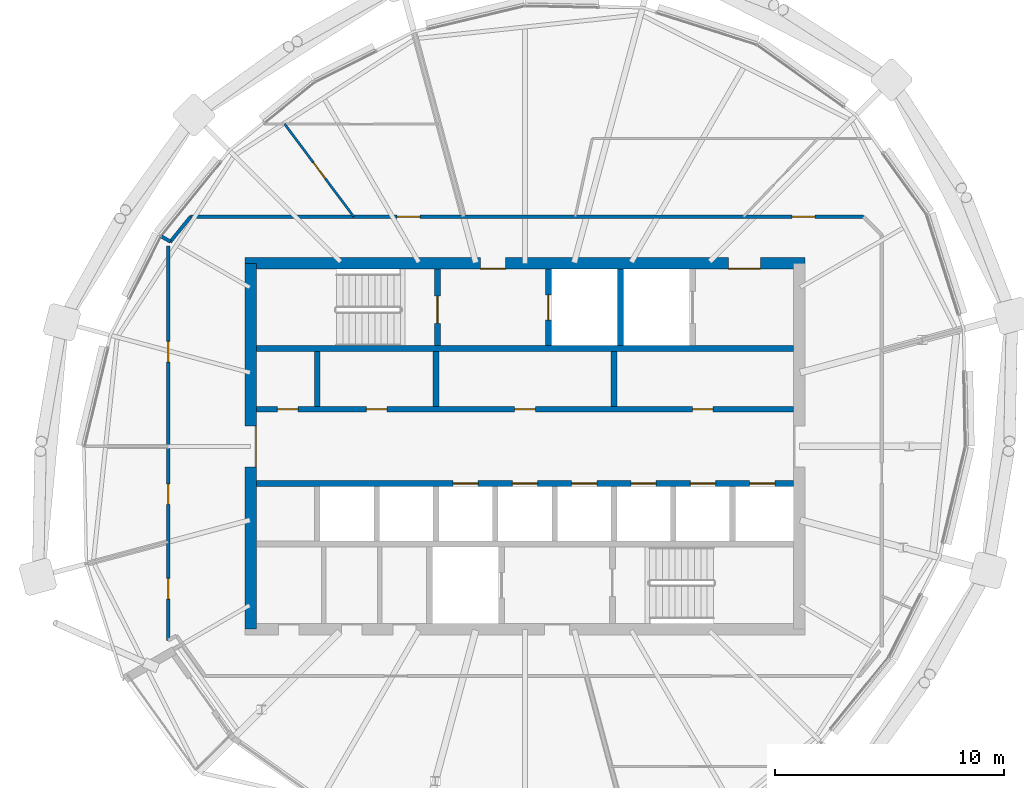
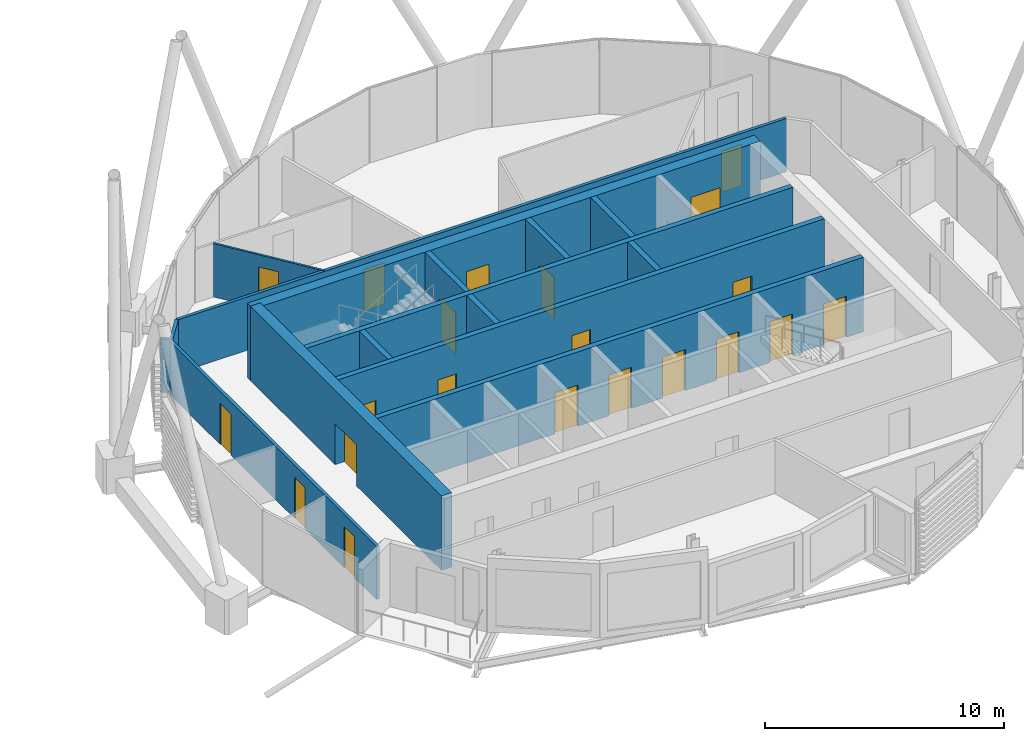
# One storey, part 23 of 32: 21 doors, 16 walls, 21 openings.
"""IFC4 building model written with IfcOpenShell, lengths in metres."""

from ifc_helpers import new_model, si_unit, direction, frame, frame_2d, origin, place, context, subcontext, project, spatial, rectangle, extrude, material, layer, layer_set, type_object, element, fill, save


model = new_model("IFC4")

# Units and contexts
model_context = context("Model", 3, precision=1e-05, world=origin(), true_north=direction((0.0, 1.0)))
body_context = subcontext(model_context, "Body", "Model", "MODEL_VIEW")
ifc_project = project(units=[si_unit("LENGTHUNIT", "METRE"), si_unit("AREAUNIT", "SQUARE_METRE"), si_unit("VOLUMEUNIT", "CUBIC_METRE"), si_unit("PLANEANGLEUNIT", "RADIAN"), si_unit("MASSUNIT", "GRAM", prefix="KILO")], contexts=[model_context])

# Site, building, storey
site_placement = place(None, origin())
site = spatial("IfcSite", under=ifc_project, at=site_placement, CompositionType="ELEMENT")
building_placement = place(site_placement, origin())
building = spatial("IfcBuilding", under=site, at=building_placement, Name="Rimbun Link Towers", CompositionType="ELEMENT")
storey_placement = place(building_placement, frame((0.0, 0.0, 233.300048828125)))
storey = spatial("IfcBuildingStorey", under=building, at=storey_placement, Name="L57", CompositionType="ELEMENT", Elevation=233.300048828125)

# Wall, openings, doors
ifc_material_1 = material(Name="Concrete C60/75", Category="concrete")
ifc_layer_1 = layer(ifc_material_1, 0.5)
ifc_layer_set_1 = layer_set([ifc_layer_1], Name="Core shear wall 500")
wall_type_1 = type_object("IfcWallType", Name="Core shear wall 500", PredefinedType="SHEAR", material=ifc_layer_set_1)
wall_1_placement = place(storey_placement, frame((19.5, 8.0, 0.0), z_axis=(0.0, 0.0, 1.0), x_axis=(1.0, 0.0, 0.0)))
wall_1 = element("IfcWall", 1, at=wall_1_placement, inside=storey, type_object=wall_type_1, Name="L57 T2 core wall N", PredefinedType="SHEAR", context=body_context, shape_type="SweptSolid", body=[
    extrude(rectangle(XDim=24.5, YDim=0.5, at=frame_2d((12.25, 0.0))), origin(), (0.0, 0.0, 1.0), 3.800048828125),
])
opening_1_placement = place(wall_1_placement, frame((10.300048828125, 0.0, 0.0)))
opening_1 = element("IfcOpeningElement", 2, at=opening_1_placement, cuts=wall_1, Name="Opening C2DCF01N", PredefinedType="OPENING", context=body_context, shape_type="SweptSolid", body=[
    extrude(rectangle(XDim=1.10009765625, YDim=2.10009765625, at=frame_2d((0.550048828125, 1.050048828125))), frame((0.0, 0.260009765625, 0.0), z_axis=(0.0, -1.0, 0.0), x_axis=(1.0, 0.0, 0.0)), (0.0, 0.0, 1.0), 0.52001953125),
])
opening_2_placement = place(wall_1_placement, frame((21.14990234375, 0.0, 0.0)))
opening_2 = element("IfcOpeningElement", 3, at=opening_2_placement, cuts=wall_1, Name="Opening C2DSL02N", PredefinedType="OPENING", context=body_context, shape_type="SweptSolid", body=[
    extrude(rectangle(XDim=1.39990234375, YDim=2.10009765625, at=frame_2d((0.699951171875, 1.050048828125))), frame((0.0, 0.260009765625, 0.0), z_axis=(0.0, -1.0, 0.0), x_axis=(1.0, 0.0, 0.0)), (0.0, 0.0, 1.0), 0.52001953125),
])
ifc_material_2 = material(Name="Steel fire door set", Category="steel")
door_type_1 = type_object("IfcDoorType", Name="Core fire door single", OperationType="SINGLE_SWING_LEFT", PredefinedType="DOOR", material=ifc_material_2)
door_1_placement = place(opening_1_placement, origin())
door_1 = element("IfcDoor", 4, at=door_1_placement, inside=storey, type_object=door_type_1, Name="L57 T2 firefighting lobby n door", OperationType="SINGLE_SWING_LEFT", OverallHeight=2.10009765625, OverallWidth=1.10009765625, PredefinedType="DOOR", context=body_context, shape_type="SweptSolid", body=[
    extrude(rectangle(XDim=1.10009765625, YDim=2.10009765625, at=frame_2d((0.550048828125, 1.050048828125))), frame((0.0, -0.2001953125, 0.0), z_axis=(0.0, -1.0, 0.0), x_axis=(1.0, 0.0, 0.0)), (0.0, 0.0, 1.0), 0.050048828125),
])
fill(opening_1, door_1)
ifc_material_3 = material(Name="Steel fire door set", Category="steel")
door_type_2 = type_object("IfcDoorType", Name="Service lobby door double", OperationType="DOUBLE_DOOR_SINGLE_SWING", PredefinedType="DOOR", material=ifc_material_3)
door_2_placement = place(opening_2_placement, origin())
door_2 = element("IfcDoor", 5, at=door_2_placement, inside=storey, type_object=door_type_2, Name="L57 T2 service lobby door", OperationType="DOUBLE_DOOR_SINGLE_SWING", OverallHeight=2.10009765625, OverallWidth=1.39990234375, PredefinedType="DOOR", context=body_context, shape_type="SweptSolid", body=[
    extrude(rectangle(XDim=1.39990234375, YDim=2.10009765625, at=frame_2d((0.699951171875, 1.050048828125))), frame((0.0, -0.2001953125, 0.0), z_axis=(0.0, -1.0, 0.0), x_axis=(1.0, 0.0, 0.0)), (0.0, 0.0, 1.0), 0.050048828125),
])
fill(opening_2, door_2)

# Wall, opening, door
wall_2_placement = place(storey_placement, frame((19.75, -8.0, 0.0), z_axis=(0.0, 0.0, 1.0), x_axis=(0.0, 1.0, 0.0)))
wall_2 = element("IfcWall", 6, at=wall_2_placement, inside=storey, type_object=wall_type_1, Name="L57 T2 core wall W", PredefinedType="SHEAR", context=body_context, shape_type="SweptSolid", body=[
    extrude(rectangle(XDim=16.0, YDim=0.5, at=frame_2d((8.0, 0.0))), origin(), (0.0, 0.0, 1.0), 3.800048828125),
])
opening_3_placement = place(wall_2_placement, frame((7.10009765625, 0.0, 0.0)))
opening_3 = element("IfcOpeningElement", 7, at=opening_3_placement, cuts=wall_2, Name="Opening C2DCL01W", PredefinedType="OPENING", context=body_context, shape_type="SweptSolid", body=[
    extrude(rectangle(XDim=1.800048828125, YDim=2.10009765625, at=frame_2d((0.89990234375, 1.050048828125))), frame((0.0, 0.260009765625, 0.0), z_axis=(0.0, -1.0, 0.0), x_axis=(1.0, 0.0, 0.0)), (0.0, 0.0, 1.0), 0.52001953125),
])
ifc_material_4 = material(Name="Steel fire door set", Category="steel")
door_type_3 = type_object("IfcDoorType", Name="Core lobby door double", OperationType="DOUBLE_DOOR_SINGLE_SWING", PredefinedType="DOOR", material=ifc_material_4)
door_3_placement = place(opening_3_placement, origin())
door_3 = element("IfcDoor", 8, at=door_3_placement, inside=storey, type_object=door_type_3, Name="L57 T2 lift lobby door", OperationType="DOUBLE_DOOR_SINGLE_SWING", OverallHeight=2.10009765625, OverallWidth=1.800048828125, PredefinedType="DOOR", context=body_context, shape_type="SweptSolid", body=[
    extrude(rectangle(XDim=1.800048828125, YDim=2.10009765625, at=frame_2d((0.89990234375, 1.050048828125))), frame((0.0, -0.2001953125, 0.0), z_axis=(0.0, -1.0, 0.0), x_axis=(1.0, 0.0, 0.0)), (0.0, 0.0, 1.0), 0.050048828125),
])
fill(opening_3, door_3)

# Wall, openings, doors
ifc_material_5 = material(Name="Plasterboard on steel stud, mineral wool", Category="steel")
ifc_layer_2 = layer(ifc_material_5, 0.14990234375)
ifc_layer_set_2 = layer_set([ifc_layer_2], Name="Corridor wall EI 30 150 mm")
wall_type_2 = type_object("IfcWallType", Name="Corridor wall EI 30 150 mm", PredefinedType="PARTITIONING", material=ifc_layer_set_2)
wall_3_placement = place(storey_placement, frame((16.14501953125, -8.489990234375, 0.0), z_axis=(0.0, 0.0, 1.0), x_axis=(0.0, 1.0, 0.0)))
wall_3 = element("IfcWall", 9, at=wall_3_placement, inside=storey, type_object=wall_type_2, Name="Corridor wall EI 30 150 mm", PredefinedType="PARTITIONING", context=body_context, shape_type="SweptSolid", body=[
    extrude(rectangle(XDim=17.259521484375, YDim=0.14990234375, at=frame_2d((8.6298828125, 0.0))), origin(), (0.0, 0.0, 1.0), 2.721923828125),
])
opening_4_placement = place(wall_3_placement, frame((12.179931640625, 0.0, 0.0)))
opening_4 = element("IfcOpeningElement", 10, at=opening_4_placement, cuts=wall_3, Name="Opening D02", PredefinedType="OPENING", context=body_context, shape_type="SweptSolid", body=[
    extrude(rectangle(XDim=0.89990234375, YDim=2.10009765625, at=frame_2d((0.449951171875, 1.050048828125))), frame((0.0, 0.0849609375, 0.0), z_axis=(0.0, -1.0, 0.0), x_axis=(1.0, 0.0, 0.0)), (0.0, 0.0, 1.0), 0.169921875),
])
opening_5_placement = place(wall_3_placement, frame((5.94921875, 0.0, 0.0)))
opening_5 = element("IfcOpeningElement", 11, at=opening_5_placement, cuts=wall_3, Name="Opening D02", PredefinedType="OPENING", context=body_context, shape_type="SweptSolid", body=[
    extrude(rectangle(XDim=0.89990234375, YDim=2.10009765625, at=frame_2d((0.449951171875, 1.050048828125))), frame((0.0, 0.0849609375, 0.0), z_axis=(0.0, -1.0, 0.0), x_axis=(1.0, 0.0, 0.0)), (0.0, 0.0, 1.0), 0.169921875),
])
opening_6_placement = place(wall_3_placement, frame((1.80908203125, 0.0, 0.0)))
opening_6 = element("IfcOpeningElement", 12, at=opening_6_placement, cuts=wall_3, Name="Opening D02", PredefinedType="OPENING", context=body_context, shape_type="SweptSolid", body=[
    extrude(rectangle(XDim=0.89990234375, YDim=2.10009765625, at=frame_2d((0.449951171875, 1.050048828125))), frame((0.0, 0.0849609375, 0.0), z_axis=(0.0, -1.0, 0.0), x_axis=(1.0, 0.0, 0.0)), (0.0, 0.0, 1.0), 0.169921875),
])
ifc_material_6 = material(Name="Fire-resisting timber door leaf", Category="wood")
door_type_4 = type_object("IfcDoorType", Name="Fire door FD30S 900", OperationType="NOTDEFINED", PredefinedType="DOOR", material=ifc_material_6)
door_4_placement = place(opening_4_placement, origin())
door_4 = element("IfcDoor", 13, at=door_4_placement, inside=storey, type_object=door_type_4, Name="Fire door FD30S 900 to Meeting room", OperationType="SINGLE_SWING_RIGHT", OverallHeight=2.10009765625, OverallWidth=0.89990234375, PredefinedType="DOOR", context=body_context, shape_type="SweptSolid", body=[
    extrude(rectangle(XDim=0.89990234375, YDim=2.10009765625, at=frame_2d((0.449951171875, 1.050048828125))), frame((0.0, 0.02490234375, 0.0), z_axis=(0.0, -1.0, 0.0), x_axis=(1.0, 0.0, 0.0)), (0.0, 0.0, 1.0), 0.050048828125),
])
fill(opening_4, door_4)
door_5_placement = place(opening_5_placement, origin())
door_5 = element("IfcDoor", 14, at=door_5_placement, inside=storey, type_object=door_type_4, Name="Fire door FD30S 900 to Executive office", OperationType="SINGLE_SWING_LEFT", OverallHeight=2.10009765625, OverallWidth=0.89990234375, PredefinedType="DOOR", context=body_context, shape_type="SweptSolid", body=[
    extrude(rectangle(XDim=0.89990234375, YDim=2.10009765625, at=frame_2d((0.449951171875, 1.050048828125))), frame((0.0, 0.02490234375, 0.0), z_axis=(0.0, -1.0, 0.0), x_axis=(1.0, 0.0, 0.0)), (0.0, 0.0, 1.0), 0.050048828125),
])
fill(opening_5, door_5)
door_6_placement = place(opening_6_placement, origin())
door_6 = element("IfcDoor", 15, at=door_6_placement, inside=storey, type_object=door_type_4, Name="Fire door FD30S 900 to Open office", OperationType="SINGLE_SWING_RIGHT", OverallHeight=2.10009765625, OverallWidth=0.89990234375, PredefinedType="DOOR", context=body_context, shape_type="SweptSolid", body=[
    extrude(rectangle(XDim=0.89990234375, YDim=2.10009765625, at=frame_2d((0.449951171875, 1.050048828125))), frame((0.0, 0.02490234375, 0.0), z_axis=(0.0, -1.0, 0.0), x_axis=(1.0, 0.0, 0.0)), (0.0, 0.0, 1.0), 0.050048828125),
])
fill(opening_6, door_6)

# Wall
wall_4_placement = place(storey_placement, frame((17.12646484375, 10.044921875, 0.0), z_axis=(0.0, 0.0, 1.0), x_axis=(-0.629149019121, -0.777284704428, 0.0)))
element("IfcWall", 16, at=wall_4_placement, inside=storey, type_object=wall_type_2, Name="Corridor wall EI 30 150 mm", PredefinedType="PARTITIONING", context=body_context, shape_type="SweptSolid", body=[
    extrude(rectangle(XDim=1.42724609375, YDim=0.14990234375, at=frame_2d((0.713623046875, 0.0))), origin(), (0.0, 0.0, 1.0), 2.721923828125),
])

# Wall, openings, doors
wall_5_placement = place(storey_placement, frame((17.12646484375, 10.044921875, 0.0), z_axis=(0.0, 0.0, 1.0), x_axis=(1.0, 0.0, 0.0)))
wall_5 = element("IfcWall", 17, at=wall_5_placement, inside=storey, type_object=wall_type_2, Name="Corridor wall EI 30 150 mm", PredefinedType="PARTITIONING", context=body_context, shape_type="SweptSolid", body=[
    extrude(rectangle(XDim=29.42724609375, YDim=0.14990234375, at=frame_2d((14.713623046875, 0.0))), origin(), (0.0, 0.0, 1.0), 2.721923828125),
])
opening_7_placement = place(wall_5_placement, frame((26.30419921875, 0.0, 0.0)))
opening_7 = element("IfcOpeningElement", 18, at=opening_7_placement, cuts=wall_5, Name="Opening D01", PredefinedType="OPENING", context=body_context, shape_type="SweptSolid", body=[
    extrude(rectangle(XDim=1.0, YDim=2.10009765625, at=frame_2d((0.5, 1.050048828125))), frame((0.0, 0.0849609375, 0.0), z_axis=(0.0, -1.0, 0.0), x_axis=(1.0, 0.0, 0.0)), (0.0, 0.0, 1.0), 0.169921875),
])
opening_8_placement = place(wall_5_placement, frame((9.03271484375, 0.0, 0.0)))
opening_8 = element("IfcOpeningElement", 19, at=opening_8_placement, cuts=wall_5, Name="Opening D01", PredefinedType="OPENING", context=body_context, shape_type="SweptSolid", body=[
    extrude(rectangle(XDim=1.0, YDim=2.10009765625, at=frame_2d((0.5, 1.050048828125))), frame((0.0, 0.0849609375, 0.0), z_axis=(0.0, -1.0, 0.0), x_axis=(1.0, 0.0, 0.0)), (0.0, 0.0, 1.0), 0.169921875),
])
ifc_material_7 = material(Name="Fire-resisting timber door leaf", Category="wood")
door_type_5 = type_object("IfcDoorType", Name="Fire door FD30S 1000", OperationType="NOTDEFINED", PredefinedType="DOOR", material=ifc_material_7)
door_7_placement = place(opening_7_placement, origin())
door_7 = element("IfcDoor", 20, at=door_7_placement, inside=storey, type_object=door_type_5, Name="Fire door FD30S 1000 to Reception", OperationType="SINGLE_SWING_RIGHT", OverallHeight=2.10009765625, OverallWidth=1.0, PredefinedType="DOOR", context=body_context, shape_type="SweptSolid", body=[
    extrude(rectangle(XDim=1.0, YDim=2.10009765625, at=frame_2d((0.5, 1.050048828125))), frame((0.0, 0.02490234375, 0.0), z_axis=(0.0, -1.0, 0.0), x_axis=(1.0, 0.0, 0.0)), (0.0, 0.0, 1.0), 0.050048828125),
])
fill(opening_7, door_7)
door_8_placement = place(opening_8_placement, origin())
door_8 = element("IfcDoor", 21, at=door_8_placement, inside=storey, type_object=door_type_5, Name="Fire door FD30S 1000 to Reception", OperationType="SINGLE_SWING_LEFT", OverallHeight=2.10009765625, OverallWidth=1.0, PredefinedType="DOOR", context=body_context, shape_type="SweptSolid", body=[
    extrude(rectangle(XDim=1.0, YDim=2.10009765625, at=frame_2d((0.5, 1.050048828125))), frame((0.0, 0.02490234375, 0.0), z_axis=(0.0, -1.0, 0.0), x_axis=(1.0, 0.0, 0.0)), (0.0, 0.0, 1.0), 0.050048828125),
])
fill(opening_8, door_8)

# Wall, opening, door
ifc_material_8 = material(Name="Plasterboard on steel stud", Category="steel")
ifc_layer_3 = layer(ifc_material_8, 0.10009765625)
ifc_layer_set_3 = layer_set([ifc_layer_3], Name="Plasterboard partition 100 mm")
wall_type_3 = type_object("IfcWallType", Name="Plasterboard partition 100 mm", PredefinedType="PARTITIONING", material=ifc_layer_set_3)
wall_6_placement = place(storey_placement, frame((24.259765625, 10.044921875, 0.0), z_axis=(0.0, 0.0, 1.0), x_axis=(-0.59774755596, 0.801684388861, 0.0)))
wall_6 = element("IfcWall", 22, at=wall_6_placement, inside=storey, type_object=wall_type_3, Name="Plasterboard partition 100 mm", PredefinedType="PARTITIONING", context=body_context, shape_type="SweptSolid", body=[
    extrude(rectangle(XDim=5.052001953125, YDim=0.10009765625, at=frame_2d((2.52587890625, 0.0))), origin(), (0.0, 0.0, 1.0), 2.721923828125),
])
opening_9_placement = place(wall_6_placement, frame((2.075927734375, 0.0, 0.0)))
opening_9 = element("IfcOpeningElement", 23, at=opening_9_placement, cuts=wall_6, Name="Opening D04", PredefinedType="OPENING", context=body_context, shape_type="SweptSolid", body=[
    extrude(rectangle(XDim=0.89990234375, YDim=2.10009765625, at=frame_2d((0.449951171875, 1.050048828125))), frame((0.0, 0.06005859375, 0.0), z_axis=(0.0, -1.0, 0.0), x_axis=(1.0, 0.0, 0.0)), (0.0, 0.0, 1.0), 0.1201171875),
])
ifc_material_9 = material(Name="Timber door leaf", Category="wood")
door_type_6 = type_object("IfcDoorType", Name="Flush door 900", OperationType="NOTDEFINED", PredefinedType="DOOR", material=ifc_material_9)
door_9_placement = place(opening_9_placement, origin())
door_9 = element("IfcDoor", 24, at=door_9_placement, inside=storey, type_object=door_type_6, Name="Flush door 900 to Pantry", OperationType="SINGLE_SWING_LEFT", OverallHeight=2.10009765625, OverallWidth=0.89990234375, PredefinedType="DOOR", context=body_context, shape_type="SweptSolid", body=[
    extrude(rectangle(XDim=0.89990234375, YDim=2.10009765625, at=frame_2d((0.449951171875, 1.050048828125))), frame((0.0, 0.02490234375, 0.0), z_axis=(0.0, -1.0, 0.0), x_axis=(1.0, 0.0, 0.0)), (0.0, 0.0, 1.0), 0.050048828125),
])
fill(opening_9, door_9)

# Wall
ifc_material_10 = material(Name="Concrete C60/75", Category="concrete")
ifc_layer_4 = layer(ifc_material_10, 0.25)
ifc_layer_set_4 = layer_set([ifc_layer_4], Name="Shaft wall 250")
wall_type_4 = type_object("IfcWallType", Name="Shaft wall 250", PredefinedType="SHEAR", material=ifc_layer_set_4)
wall_7_placement = place(storey_placement, frame((20.0, 4.27490234375, 0.0), z_axis=(0.0, 0.0, 1.0), x_axis=(1.0, 0.0, 0.0)))
element("IfcWall", 25, at=wall_7_placement, inside=storey, type_object=wall_type_4, Name="L57 T2 core wall BN", PredefinedType="SHEAR", context=body_context, shape_type="SweptSolid", body=[
    extrude(rectangle(XDim=23.5, YDim=0.25, at=frame_2d((11.75, 0.0))), origin(), (0.0, 0.0, 1.0), 3.800048828125),
])

# Wall, openings, doors
wall_8_placement = place(storey_placement, frame((20.0, 1.625, 0.0), z_axis=(0.0, 0.0, 1.0), x_axis=(1.0, 0.0, 0.0)))
wall_8 = element("IfcWall", 26, at=wall_8_placement, inside=storey, type_object=wall_type_4, Name="L57 T2 core wall FN", PredefinedType="SHEAR", context=body_context, shape_type="SweptSolid", body=[
    extrude(rectangle(XDim=23.5, YDim=0.25, at=frame_2d((11.75, 0.0))), origin(), (0.0, 0.0, 1.0), 3.800048828125),
])
opening_10_placement = place(wall_8_placement, frame((0.922119140625, 0.0, 0.0)))
opening_10 = element("IfcOpeningElement", 27, at=opening_10_placement, cuts=wall_8, Name="Opening C2DRS01FN", PredefinedType="OPENING", context=body_context, shape_type="SweptSolid", body=[
    extrude(rectangle(XDim=0.89990234375, YDim=2.10009765625, at=frame_2d((0.449951171875, 1.050048828125))), frame((0.0, 0.135009765625, 0.0), z_axis=(0.0, -1.0, 0.0), x_axis=(1.0, 0.0, 0.0)), (0.0, 0.0, 1.0), 0.27001953125),
])
opening_11_placement = place(wall_8_placement, frame((4.81396484375, 0.0, 0.0)))
opening_11 = element("IfcOpeningElement", 28, at=opening_11_placement, cuts=wall_8, Name="Opening C2DRS02FN", PredefinedType="OPENING", context=body_context, shape_type="SweptSolid", body=[
    extrude(rectangle(XDim=0.89990234375, YDim=2.10009765625, at=frame_2d((0.449951171875, 1.050048828125))), frame((0.0, 0.135009765625, 0.0), z_axis=(0.0, -1.0, 0.0), x_axis=(1.0, 0.0, 0.0)), (0.0, 0.0, 1.0), 0.27001953125),
])
opening_12_placement = place(wall_8_placement, frame((11.300048828125, 0.0, 0.0)))
opening_12 = element("IfcOpeningElement", 29, at=opening_12_placement, cuts=wall_8, Name="Opening C2DRS03FN", PredefinedType="OPENING", context=body_context, shape_type="SweptSolid", body=[
    extrude(rectangle(XDim=0.89990234375, YDim=2.10009765625, at=frame_2d((0.449951171875, 1.050048828125))), frame((0.0, 0.135009765625, 0.0), z_axis=(0.0, -1.0, 0.0), x_axis=(1.0, 0.0, 0.0)), (0.0, 0.0, 1.0), 0.27001953125),
])
opening_13_placement = place(wall_8_placement, frame((19.083251953125, 0.0, 0.0)))
opening_13 = element("IfcOpeningElement", 30, at=opening_13_placement, cuts=wall_8, Name="Opening C2DRS04FN", PredefinedType="OPENING", context=body_context, shape_type="SweptSolid", body=[
    extrude(rectangle(XDim=0.89990234375, YDim=2.10009765625, at=frame_2d((0.449951171875, 1.050048828125))), frame((0.0, 0.135009765625, 0.0), z_axis=(0.0, -1.0, 0.0), x_axis=(1.0, 0.0, 0.0)), (0.0, 0.0, 1.0), 0.27001953125),
])
ifc_material_11 = material(Name="Steel fire door set", Category="steel")
door_type_7 = type_object("IfcDoorType", Name="Core riser door", OperationType="SINGLE_SWING_LEFT", PredefinedType="DOOR", material=ifc_material_11)
door_10_placement = place(opening_10_placement, origin())
door_10 = element("IfcDoor", 31, at=door_10_placement, inside=storey, type_object=door_type_7, Name="L57 T2 cleaner store door", OperationType="SINGLE_SWING_LEFT", OverallHeight=2.10009765625, OverallWidth=0.89990234375, PredefinedType="DOOR", context=body_context, shape_type="SweptSolid", body=[
    extrude(rectangle(XDim=0.89990234375, YDim=2.10009765625, at=frame_2d((0.449951171875, 1.050048828125))), frame((0.0, 0.02490234375, 0.0), z_axis=(0.0, -1.0, 0.0), x_axis=(1.0, 0.0, 0.0)), (0.0, 0.0, 1.0), 0.050048828125),
])
fill(opening_10, door_10)
door_11_placement = place(opening_11_placement, origin())
door_11 = element("IfcDoor", 32, at=door_11_placement, inside=storey, type_object=door_type_7, Name="L57 T2 staff lounge door", OperationType="SINGLE_SWING_RIGHT", OverallHeight=2.10009765625, OverallWidth=0.89990234375, PredefinedType="DOOR", context=body_context, shape_type="SweptSolid", body=[
    extrude(rectangle(XDim=0.89990234375, YDim=2.10009765625, at=frame_2d((0.449951171875, 1.050048828125))), frame((0.0, 0.02490234375, 0.0), z_axis=(0.0, -1.0, 0.0), x_axis=(1.0, 0.0, 0.0)), (0.0, 0.0, 1.0), 0.050048828125),
])
fill(opening_11, door_11)
door_12_placement = place(opening_12_placement, origin())
door_12 = element("IfcDoor", 33, at=door_12_placement, inside=storey, type_object=door_type_7, Name="L57 T2 training store door", OperationType="SINGLE_SWING_LEFT", OverallHeight=2.10009765625, OverallWidth=0.89990234375, PredefinedType="DOOR", context=body_context, shape_type="SweptSolid", body=[
    extrude(rectangle(XDim=0.89990234375, YDim=2.10009765625, at=frame_2d((0.449951171875, 1.050048828125))), frame((0.0, 0.02490234375, 0.0), z_axis=(0.0, -1.0, 0.0), x_axis=(1.0, 0.0, 0.0)), (0.0, 0.0, 1.0), 0.050048828125),
])
fill(opening_12, door_12)
door_13_placement = place(opening_13_placement, origin())
door_13 = element("IfcDoor", 34, at=door_13_placement, inside=storey, type_object=door_type_7, Name="L57 T2 meeting pod door", OperationType="SINGLE_SWING_LEFT", OverallHeight=2.10009765625, OverallWidth=0.89990234375, PredefinedType="DOOR", context=body_context, shape_type="SweptSolid", body=[
    extrude(rectangle(XDim=0.89990234375, YDim=2.10009765625, at=frame_2d((0.449951171875, 1.050048828125))), frame((0.0, 0.02490234375, 0.0), z_axis=(0.0, -1.0, 0.0), x_axis=(1.0, 0.0, 0.0)), (0.0, 0.0, 1.0), 0.050048828125),
])
fill(opening_13, door_13)

wall_9_placement = place(storey_placement, frame((20.0, -1.625, 0.0), z_axis=(0.0, 0.0, 1.0), x_axis=(1.0, 0.0, 0.0)))
wall_9 = element("IfcWall", 35, at=wall_9_placement, inside=storey, type_object=wall_type_4, Name="L57 T2 core wall FS", PredefinedType="SHEAR", context=body_context, shape_type="SweptSolid", body=[
    extrude(rectangle(XDim=23.5, YDim=0.25, at=frame_2d((11.75, 0.0))), origin(), (0.0, 0.0, 1.0), 3.800048828125),
])
opening_14_placement = place(wall_9_placement, frame((8.605712890625, 0.0, 0.0)))
opening_14 = element("IfcOpeningElement", 36, at=opening_14_placement, cuts=wall_9, Name="Opening LD-T2-HR1", PredefinedType="OPENING", context=body_context, shape_type="SweptSolid", body=[
    extrude(rectangle(XDim=1.10009765625, YDim=2.10009765625, at=frame_2d((0.550048828125, 1.050048828125))), frame((0.0, 0.135009765625, 0.0), z_axis=(0.0, -1.0, 0.0), x_axis=(1.0, 0.0, 0.0)), (0.0, 0.0, 1.0), 0.27001953125),
])
opening_15_placement = place(wall_9_placement, frame((11.199951171875, 0.0, 0.0)))
opening_15 = element("IfcOpeningElement", 37, at=opening_15_placement, cuts=wall_9, Name="Opening LD-T2-HR2", PredefinedType="OPENING", context=body_context, shape_type="SweptSolid", body=[
    extrude(rectangle(XDim=1.10009765625, YDim=2.10009765625, at=frame_2d((0.550048828125, 1.050048828125))), frame((0.0, 0.135009765625, 0.0), z_axis=(0.0, -1.0, 0.0), x_axis=(1.0, 0.0, 0.0)), (0.0, 0.0, 1.0), 0.27001953125),
])
opening_16_placement = place(wall_9_placement, frame((13.79443359375, 0.0, 0.0)))
opening_16 = element("IfcOpeningElement", 38, at=opening_16_placement, cuts=wall_9, Name="Opening LD-T2-HR3", PredefinedType="OPENING", context=body_context, shape_type="SweptSolid", body=[
    extrude(rectangle(XDim=1.10009765625, YDim=2.10009765625, at=frame_2d((0.550048828125, 1.050048828125))), frame((0.0, 0.135009765625, 0.0), z_axis=(0.0, -1.0, 0.0), x_axis=(1.0, 0.0, 0.0)), (0.0, 0.0, 1.0), 0.27001953125),
])
opening_17_placement = place(wall_9_placement, frame((16.388916015625, 0.0, 0.0)))
opening_17 = element("IfcOpeningElement", 39, at=opening_17_placement, cuts=wall_9, Name="Opening LD-T2-HR4", PredefinedType="OPENING", context=body_context, shape_type="SweptSolid", body=[
    extrude(rectangle(XDim=1.10009765625, YDim=2.10009765625, at=frame_2d((0.550048828125, 1.050048828125))), frame((0.0, 0.135009765625, 0.0), z_axis=(0.0, -1.0, 0.0), x_axis=(1.0, 0.0, 0.0)), (0.0, 0.0, 1.0), 0.27001953125),
])
opening_18_placement = place(wall_9_placement, frame((18.9833984375, 0.0, 0.0)))
opening_18 = element("IfcOpeningElement", 40, at=opening_18_placement, cuts=wall_9, Name="Opening LD-T2-HR5", PredefinedType="OPENING", context=body_context, shape_type="SweptSolid", body=[
    extrude(rectangle(XDim=1.10009765625, YDim=2.10009765625, at=frame_2d((0.550048828125, 1.050048828125))), frame((0.0, 0.135009765625, 0.0), z_axis=(0.0, -1.0, 0.0), x_axis=(1.0, 0.0, 0.0)), (0.0, 0.0, 1.0), 0.27001953125),
])
opening_19_placement = place(wall_9_placement, frame((21.577880859375, 0.0, 0.0)))
opening_19 = element("IfcOpeningElement", 41, at=opening_19_placement, cuts=wall_9, Name="Opening LD-T2-HR6", PredefinedType="OPENING", context=body_context, shape_type="SweptSolid", body=[
    extrude(rectangle(XDim=1.10009765625, YDim=2.10009765625, at=frame_2d((0.550048828125, 1.050048828125))), frame((0.0, 0.135009765625, 0.0), z_axis=(0.0, -1.0, 0.0), x_axis=(1.0, 0.0, 0.0)), (0.0, 0.0, 1.0), 0.27001953125),
])
ifc_material_12 = material(Name="Stainless steel grade 316", Category="steel")
door_type_8 = type_object("IfcDoorType", Name="Lift landing door", OperationType="DOUBLE_DOOR_SLIDING", PredefinedType="DOOR", material=ifc_material_12)
door_14_placement = place(opening_14_placement, origin())
door_14 = element("IfcDoor", 42, at=door_14_placement, inside=storey, type_object=door_type_8, Name="L57 T2 lift HR1 landing door", OperationType="DOUBLE_DOOR_SLIDING", OverallHeight=2.10009765625, OverallWidth=1.10009765625, PredefinedType="DOOR", context=body_context, shape_type="SweptSolid", body=[
    extrude(rectangle(XDim=1.10009765625, YDim=2.10009765625, at=frame_2d((0.550048828125, 1.050048828125))), frame((0.0, 0.02490234375, 0.0), z_axis=(0.0, -1.0, 0.0), x_axis=(1.0, 0.0, 0.0)), (0.0, 0.0, 1.0), 0.050048828125),
])
fill(opening_14, door_14)
door_15_placement = place(opening_15_placement, origin())
door_15 = element("IfcDoor", 43, at=door_15_placement, inside=storey, type_object=door_type_8, Name="L57 T2 lift HR2 landing door", OperationType="DOUBLE_DOOR_SLIDING", OverallHeight=2.10009765625, OverallWidth=1.10009765625, PredefinedType="DOOR", context=body_context, shape_type="SweptSolid", body=[
    extrude(rectangle(XDim=1.10009765625, YDim=2.10009765625, at=frame_2d((0.550048828125, 1.050048828125))), frame((0.0, 0.02490234375, 0.0), z_axis=(0.0, -1.0, 0.0), x_axis=(1.0, 0.0, 0.0)), (0.0, 0.0, 1.0), 0.050048828125),
])
fill(opening_15, door_15)
door_16_placement = place(opening_16_placement, origin())
door_16 = element("IfcDoor", 44, at=door_16_placement, inside=storey, type_object=door_type_8, Name="L57 T2 lift HR3 landing door", OperationType="DOUBLE_DOOR_SLIDING", OverallHeight=2.10009765625, OverallWidth=1.10009765625, PredefinedType="DOOR", context=body_context, shape_type="SweptSolid", body=[
    extrude(rectangle(XDim=1.10009765625, YDim=2.10009765625, at=frame_2d((0.550048828125, 1.050048828125))), frame((0.0, 0.02490234375, 0.0), z_axis=(0.0, -1.0, 0.0), x_axis=(1.0, 0.0, 0.0)), (0.0, 0.0, 1.0), 0.050048828125),
])
fill(opening_16, door_16)
door_17_placement = place(opening_17_placement, origin())
door_17 = element("IfcDoor", 45, at=door_17_placement, inside=storey, type_object=door_type_8, Name="L57 T2 lift HR4 landing door", OperationType="DOUBLE_DOOR_SLIDING", OverallHeight=2.10009765625, OverallWidth=1.10009765625, PredefinedType="DOOR", context=body_context, shape_type="SweptSolid", body=[
    extrude(rectangle(XDim=1.10009765625, YDim=2.10009765625, at=frame_2d((0.550048828125, 1.050048828125))), frame((0.0, 0.02490234375, 0.0), z_axis=(0.0, -1.0, 0.0), x_axis=(1.0, 0.0, 0.0)), (0.0, 0.0, 1.0), 0.050048828125),
])
fill(opening_17, door_17)
door_18_placement = place(opening_18_placement, origin())
door_18 = element("IfcDoor", 46, at=door_18_placement, inside=storey, type_object=door_type_8, Name="L57 T2 lift HR5 landing door", OperationType="DOUBLE_DOOR_SLIDING", OverallHeight=2.10009765625, OverallWidth=1.10009765625, PredefinedType="DOOR", context=body_context, shape_type="SweptSolid", body=[
    extrude(rectangle(XDim=1.10009765625, YDim=2.10009765625, at=frame_2d((0.550048828125, 1.050048828125))), frame((0.0, 0.02490234375, 0.0), z_axis=(0.0, -1.0, 0.0), x_axis=(1.0, 0.0, 0.0)), (0.0, 0.0, 1.0), 0.050048828125),
])
fill(opening_18, door_18)
door_19_placement = place(opening_19_placement, origin())
door_19 = element("IfcDoor", 47, at=door_19_placement, inside=storey, type_object=door_type_8, Name="L57 T2 lift HR6 landing door", OperationType="DOUBLE_DOOR_SLIDING", OverallHeight=2.10009765625, OverallWidth=1.10009765625, PredefinedType="DOOR", context=body_context, shape_type="SweptSolid", body=[
    extrude(rectangle(XDim=1.10009765625, YDim=2.10009765625, at=frame_2d((0.550048828125, 1.050048828125))), frame((0.0, 0.02490234375, 0.0), z_axis=(0.0, -1.0, 0.0), x_axis=(1.0, 0.0, 0.0)), (0.0, 0.0, 1.0), 0.050048828125),
])
fill(opening_19, door_19)

# Walls
for number, where, z_axis, x_axis, name in (
    (48, (22.66943359375, 1.75, 0.0), (0.0, 0.0, 1.0), (0.0, 1.0, 0.0), "L57 T2 core wall DN0"),
    (49, (27.8583984375, 1.75, 0.0), (0.0, 0.0, 1.0), (0.0, 1.0, 0.0), "L57 T2 core wall DN2"),
    (50, (35.6416015625, 1.75, 0.0), (0.0, 0.0, 1.0), (0.0, 1.0, 0.0), "L57 T2 core wall DN5"),
):
    element("IfcWall", number, at=place(storey_placement, frame(where, z_axis=z_axis, x_axis=x_axis)), inside=storey, type_object=wall_type_4, Name=name, PredefinedType="SHEAR", context=body_context, shape_type="SweptSolid", body=[
        extrude(rectangle(XDim=2.39990234375, YDim=0.25, at=frame_2d((1.199951171875, 0.0))), origin(), (0.0, 0.0, 1.0), 3.800048828125),
    ])

# Wall, opening, door
wall_10_placement = place(storey_placement, frame((27.925048828125, 4.39990234375, 0.0), z_axis=(0.0, 0.0, 1.0), x_axis=(0.0, 1.0, 0.0)))
wall_10 = element("IfcWall", 51, at=wall_10_placement, inside=storey, type_object=wall_type_4, Name="L57 T2 core wall A1", PredefinedType="SHEAR", context=body_context, shape_type="SweptSolid", body=[
    extrude(rectangle(XDim=3.35009765625, YDim=0.25, at=frame_2d((1.675048828125, 0.0))), origin(), (0.0, 0.0, 1.0), 3.800048828125),
])
opening_20_placement = place(wall_10_placement, frame((0.97509765625, 0.0, 0.0)))
opening_20 = element("IfcOpeningElement", 52, at=opening_20_placement, cuts=wall_10, Name="Opening C2DST01A1", PredefinedType="OPENING", context=body_context, shape_type="SweptSolid", body=[
    extrude(rectangle(XDim=1.199951171875, YDim=2.10009765625, at=frame_2d((0.60009765625, 1.050048828125))), frame((0.0, 0.135009765625, 0.0), z_axis=(0.0, -1.0, 0.0), x_axis=(1.0, 0.0, 0.0)), (0.0, 0.0, 1.0), 0.27001953125),
])
ifc_material_13 = material(Name="Steel fire door set", Category="steel")
door_type_9 = type_object("IfcDoorType", Name="Stair door", OperationType="SINGLE_SWING_LEFT", PredefinedType="DOOR", material=ifc_material_13)
door_20_placement = place(opening_20_placement, origin())
door_20 = element("IfcDoor", 53, at=door_20_placement, inside=storey, type_object=door_type_9, Name="L57 T2 stair a door", OperationType="SINGLE_SWING_RIGHT", OverallHeight=2.10009765625, OverallWidth=1.199951171875, PredefinedType="DOOR", context=body_context, shape_type="SweptSolid", body=[
    extrude(rectangle(XDim=1.199951171875, YDim=2.10009765625, at=frame_2d((0.60009765625, 1.050048828125))), frame((0.0, 0.02490234375, 0.0), z_axis=(0.0, -1.0, 0.0), x_axis=(1.0, 0.0, 0.0)), (0.0, 0.0, 1.0), 0.050048828125),
])
fill(opening_20, door_20)

wall_11_placement = place(storey_placement, frame((32.77490234375, 4.39990234375, 0.0), z_axis=(0.0, 0.0, 1.0), x_axis=(0.0, 1.0, 0.0)))
wall_11 = element("IfcWall", 54, at=wall_11_placement, inside=storey, type_object=wall_type_4, Name="L57 T2 core wall A2", PredefinedType="SHEAR", context=body_context, shape_type="SweptSolid", body=[
    extrude(rectangle(XDim=3.35009765625, YDim=0.25, at=frame_2d((1.675048828125, 0.0))), origin(), (0.0, 0.0, 1.0), 3.800048828125),
])
opening_21_placement = place(wall_11_placement, frame((1.125, 0.0, 0.0)))
opening_21 = element("IfcOpeningElement", 55, at=opening_21_placement, cuts=wall_11, Name="Opening LD-T2-FF1", PredefinedType="OPENING", context=body_context, shape_type="SweptSolid", body=[
    extrude(rectangle(XDim=1.10009765625, YDim=2.10009765625, at=frame_2d((0.550048828125, 1.050048828125))), frame((0.0, 0.135009765625, 0.0), z_axis=(0.0, -1.0, 0.0), x_axis=(1.0, 0.0, 0.0)), (0.0, 0.0, 1.0), 0.27001953125),
])
door_21_placement = place(opening_21_placement, origin())
door_21 = element("IfcDoor", 56, at=door_21_placement, inside=storey, type_object=door_type_8, Name="L57 T2 lift FF1 landing door", OperationType="DOUBLE_DOOR_SLIDING", OverallHeight=2.10009765625, OverallWidth=1.10009765625, PredefinedType="DOOR", context=body_context, shape_type="SweptSolid", body=[
    extrude(rectangle(XDim=1.10009765625, YDim=2.10009765625, at=frame_2d((0.550048828125, 1.050048828125))), frame((0.0, 0.02490234375, 0.0), z_axis=(0.0, -1.0, 0.0), x_axis=(1.0, 0.0, 0.0)), (0.0, 0.0, 1.0), 0.050048828125),
])
fill(opening_21, door_21)

# Walls
wall_12_placement = place(storey_placement, frame((35.925048828125, 4.39990234375, 0.0), z_axis=(0.0, 0.0, 1.0), x_axis=(0.0, 1.0, 0.0)))
element("IfcWall", 57, at=wall_12_placement, inside=storey, type_object=wall_type_4, Name="L57 T2 core wall A3", PredefinedType="SHEAR", context=body_context, shape_type="SweptSolid", body=[
    extrude(rectangle(XDim=3.35009765625, YDim=0.25, at=frame_2d((1.675048828125, 0.0))), origin(), (0.0, 0.0, 1.0), 3.800048828125),
])
ifc_material_14 = material(Name="Plasterboard on steel stud, mineral wool", Category="steel")
ifc_layer_5 = layer(ifc_material_14, 0.14990234375)
ifc_layer_set_5 = layer_set([ifc_layer_5], Name="Tenancy separation wall EI 60 150 mm")
wall_type_5 = type_object("IfcWallType", Name="Tenancy separation wall EI 60 150 mm", PredefinedType="PARTITIONING", material=ifc_layer_set_5)
wall_13_placement = place(storey_placement, frame((16.24267578125, 8.953125, 0.0), z_axis=(0.0, 0.0, 1.0), x_axis=(-0.8660249478, 0.500000789788, 0.0)))
element("IfcWall", 58, at=wall_13_placement, inside=storey, type_object=wall_type_5, Name="Tenancy separation wall EI 60 150 mm", PredefinedType="PARTITIONING", context=body_context, shape_type="SweptSolid", body=[
    extrude(rectangle(XDim=0.45556640625, YDim=0.14990234375, at=frame_2d((0.227783203125, 0.0))), origin(), (0.0, 0.0, 1.0), 2.721923828125),
])

save(model, "model.ifc")
